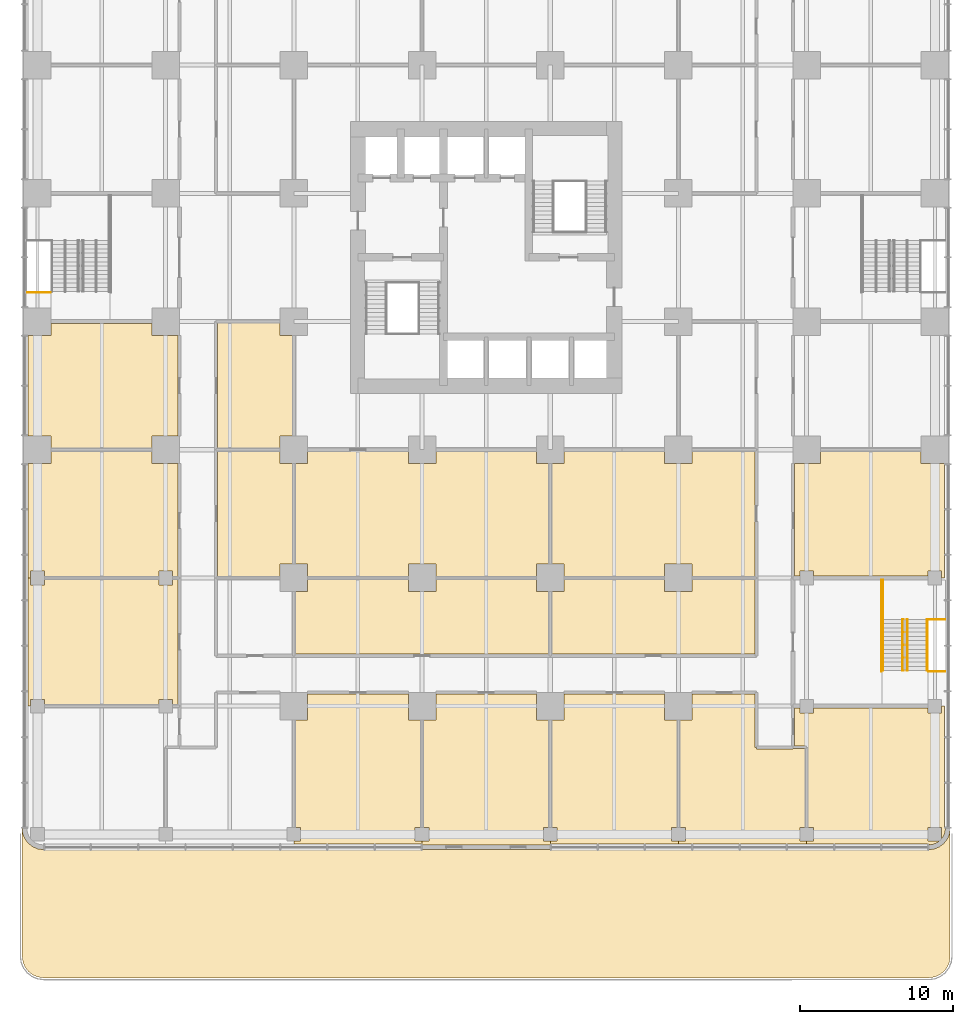
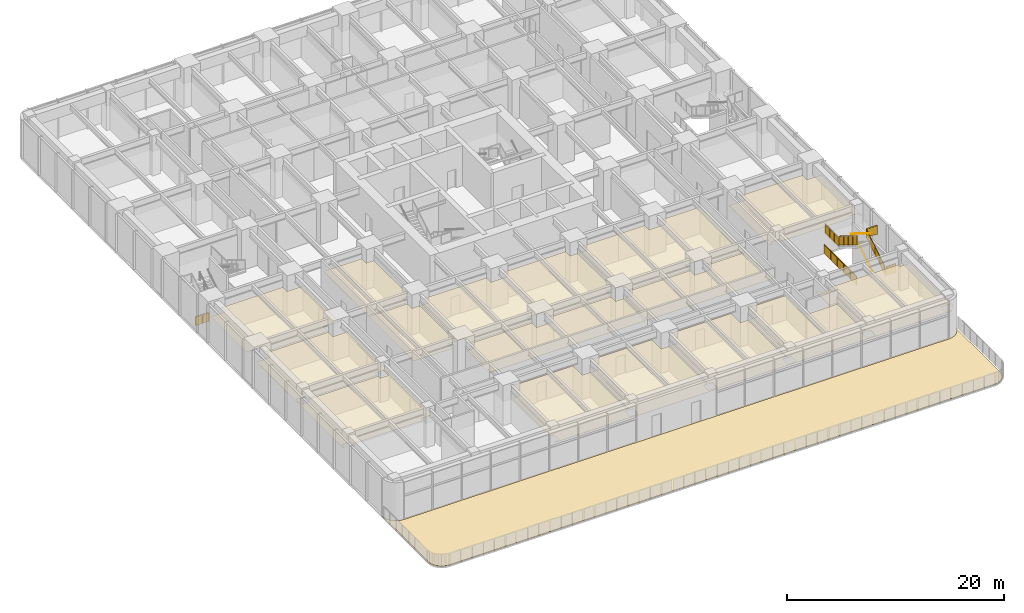
# One storey, part 17 of 20: 16 coverings, 9 railings.
"""IFC4 building model written with IfcOpenShell, lengths in metres."""

from ifc_helpers import new_model, si_unit, direction, frame, origin, origin_2d, place, context, subcontext, project, spatial, polyline, circle, outline, extrude, material, layer, layer_set, type_object, element, save


model = new_model("IFC4")

# Units and contexts
model_context = context("Model", 3, precision=1e-05, world=origin(), true_north=direction((0.0, 1.0)))
body_context = subcontext(model_context, "Body", "Model", "MODEL_VIEW")
ifc_project = project(units=[si_unit("LENGTHUNIT", "METRE"), si_unit("AREAUNIT", "SQUARE_METRE"), si_unit("VOLUMEUNIT", "CUBIC_METRE"), si_unit("PLANEANGLEUNIT", "RADIAN"), si_unit("MASSUNIT", "GRAM", prefix="KILO")], contexts=[model_context])

# Site, building, storey
site_placement = place(None, origin())
site = spatial("IfcSite", under=ifc_project, at=site_placement, CompositionType="ELEMENT")
building_placement = place(site_placement, origin())
building = spatial("IfcBuilding", under=site, at=building_placement, Name="Torre Alcanfor", CompositionType="ELEMENT")
storey_placement = place(building_placement, frame((0.0, 0.0, 10.5)))
storey = spatial("IfcBuildingStorey", under=building, at=storey_placement, Name="L02", CompositionType="ELEMENT", Elevation=10.5)

# Coverings
ifc_material_1 = material(Name="Mineral fibre acoustic tile 20 mm, NRC 0.70, on exposed suspension grid", Category="mineral fibre")
ifc_layer_1 = layer(ifc_material_1, 0.02001953125)
ifc_layer_set_1 = layer_set([ifc_layer_1], Name="Acoustic suspended ceiling 600x600 mineral fibre tile")
covering_type_1 = type_object("IfcCoveringType", Name="Acoustic suspended ceiling 600x600 mineral fibre tile", PredefinedType="CEILING", material=ifc_layer_set_1)
covering_1_placement = place(storey_placement, frame((0.0, 0.0, 2.75)))
element("IfcCovering", 1, at=covering_1_placement, inside=storey, type_object=covering_type_1, Name="Ceiling L02-02", PredefinedType="CEILING", context=body_context, shape_type="SweptSolid", body=[
    extrude(outline(polyline([(49.949951171875, -8.85009765625), (49.949951171875, -7.949951171875), (50.324951171875, -7.949951171875), (50.324951171875, -2.77490234375), (49.5, -2.77490234375), (49.5, -2.800048828125), (47.10009765625, -2.800048828125), (47.10009765625, -2.699951171875), (47.0, -2.699951171875), (47.0, 0.800048828125), (42.89990234375, 0.800048828125), (42.89990234375, -0.89990234375), (42.074951171875, -0.89990234375), (42.074951171875, -7.949951171875), (42.449951171875, -7.949951171875), (42.449951171875, -8.85009765625), (42.0, -8.85009765625), (42.0, -9.02490234375), (50.39990234375, -9.02490234375), (50.39990234375, -8.85009765625), (49.949951171875, -8.85009765625)])), origin(), (0.0, 0.0, 1.0), 0.02001953125),
])
covering_2_placement = place(storey_placement, frame((0.0, 0.0, 2.75)))
element("IfcCovering", 2, at=covering_2_placement, inside=storey, type_object=covering_type_1, Name="Ceiling L02-04", PredefinedType="CEILING", context=body_context, shape_type="SweptSolid", body=[
    extrude(outline(polyline([(59.25, -7.949951171875), (59.25, -8.679443359375), (59.350341796875, -8.548583984375), (59.4599609375, -8.283935546875), (59.497314453125, -8.0), (59.425048828125, -8.0), (59.425048828125, 0.0), (59.25, 0.0), (59.25, -0.449951171875), (58.35009765625, -0.449951171875), (58.35009765625, -0.125), (50.85009765625, -0.125), (50.85009765625, -0.449951171875), (49.949951171875, -0.449951171875), (49.949951171875, -0.125), (49.60009765625, -0.125), (49.60009765625, -2.625), (50.39990234375, -2.625), (50.39990234375, -2.699951171875), (50.47509765625, -2.699951171875), (50.47509765625, -7.949951171875), (50.85009765625, -7.949951171875), (50.85009765625, -8.85009765625), (50.39990234375, -8.85009765625), (50.39990234375, -9.02490234375), (58.39990234375, -9.02490234375), (58.39990234375, -9.097412109375), (58.68408203125, -9.06005859375), (58.94873046875, -8.950439453125), (59.079345703125, -8.85009765625), (58.35009765625, -8.85009765625), (58.35009765625, -7.949951171875), (59.25, -7.949951171875)])), origin(), (0.0, 0.0, 1.0), 0.02001953125),
])
covering_3_placement = place(storey_placement, frame((0.0, 0.0, 2.75)))
element("IfcCovering", 3, at=covering_3_placement, inside=storey, type_object=covering_type_1, Name="Ceiling L02-05", PredefinedType="CEILING", context=body_context, shape_type="SweptSolid", body=[
    extrude(outline(polyline([(25.125, -0.89990234375), (24.300048828125, -0.89990234375), (24.300048828125, 0.800048828125), (17.699951171875, 0.800048828125), (17.699951171875, -0.89990234375), (16.875, -0.89990234375), (16.875, -7.949951171875), (17.25, -7.949951171875), (17.25, -8.85009765625), (16.800048828125, -8.85009765625), (16.800048828125, -9.02490234375), (25.199951171875, -9.02490234375), (25.199951171875, -8.85009765625), (24.75, -8.85009765625), (24.75, -7.949951171875), (25.125, -7.949951171875), (25.125, -0.89990234375)])), origin(), (0.0, 0.0, 1.0), 0.02001953125),
])
covering_4_placement = place(storey_placement, frame((0.0, 0.0, 2.75)))
element("IfcCovering", 4, at=covering_4_placement, inside=storey, type_object=covering_type_1, Name="Ceiling L02-06", PredefinedType="CEILING", context=body_context, shape_type="SweptSolid", body=[
    extrude(outline(polyline([(33.52490234375, -0.89990234375), (32.699951171875, -0.89990234375), (32.699951171875, 0.800048828125), (26.10009765625, 0.800048828125), (26.10009765625, -0.89990234375), (25.27490234375, -0.89990234375), (25.27490234375, -7.949951171875), (25.64990234375, -7.949951171875), (25.64990234375, -8.85009765625), (25.199951171875, -8.85009765625), (25.199951171875, -9.10009765625), (33.60009765625, -9.10009765625), (33.60009765625, -8.85009765625), (33.14990234375, -8.85009765625), (33.14990234375, -7.949951171875), (33.52490234375, -7.949951171875), (33.52490234375, -0.89990234375)])), origin(), (0.0, 0.0, 1.0), 0.02001953125),
])
covering_5_placement = place(storey_placement, frame((0.0, 0.0, 2.75)))
element("IfcCovering", 5, at=covering_5_placement, inside=storey, type_object=covering_type_1, Name="Ceiling L02-07", PredefinedType="CEILING", context=body_context, shape_type="SweptSolid", body=[
    extrude(outline(polyline([(41.925048828125, -0.89990234375), (41.10009765625, -0.89990234375), (41.10009765625, 0.800048828125), (34.5, 0.800048828125), (34.5, -0.89990234375), (33.675048828125, -0.89990234375), (33.675048828125, -7.949951171875), (34.050048828125, -7.949951171875), (34.050048828125, -8.85009765625), (33.60009765625, -8.85009765625), (33.60009765625, -9.02490234375), (42.0, -9.02490234375), (42.0, -8.85009765625), (41.550048828125, -8.85009765625), (41.550048828125, -7.949951171875), (41.925048828125, -7.949951171875), (41.925048828125, -0.89990234375)])), origin(), (0.0, 0.0, 1.0), 0.02001953125),
])
covering_6_placement = place(storey_placement, frame((0.0, 0.0, 2.75)))
element("IfcCovering", 6, at=covering_6_placement, inside=storey, type_object=covering_type_1, Name="Ceiling L02-08", PredefinedType="CEILING", context=body_context, shape_type="SweptSolid", body=[
    extrude(outline(polyline([(-0.449951171875, 7.949951171875), (-0.449951171875, 8.39990234375), (-0.625, 8.39990234375), (-0.625, 0.0), (-0.449951171875, 0.0), (-0.449951171875, 0.449951171875), (0.449951171875, 0.449951171875), (0.449951171875, 0.074951171875), (7.949951171875, 0.074951171875), (7.949951171875, 0.449951171875), (8.85009765625, 0.449951171875), (8.85009765625, 0.074951171875), (9.199951171875, 0.074951171875), (9.199951171875, 8.324951171875), (8.85009765625, 8.324951171875), (8.85009765625, 7.949951171875), (7.949951171875, 7.949951171875), (7.949951171875, 8.324951171875), (0.449951171875, 8.324951171875), (0.449951171875, 7.949951171875), (-0.449951171875, 7.949951171875)])), origin(), (0.0, 0.0, 1.0), 0.02001953125),
])
covering_7_placement = place(storey_placement, frame((0.0, 0.0, 2.75)))
element("IfcCovering", 7, at=covering_7_placement, inside=storey, type_object=covering_type_1, Name="Ceiling L02-10", PredefinedType="CEILING", context=body_context, shape_type="SweptSolid", body=[
    extrude(outline(polyline([(0.89990234375, 16.72509765625), (0.89990234375, 15.89990234375), (-0.625, 15.89990234375), (-0.625, 8.39990234375), (-0.449951171875, 8.39990234375), (-0.449951171875, 8.85009765625), (0.449951171875, 8.85009765625), (0.449951171875, 8.47509765625), (7.949951171875, 8.47509765625), (7.949951171875, 8.85009765625), (8.85009765625, 8.85009765625), (8.85009765625, 8.47509765625), (9.199951171875, 8.47509765625), (9.199951171875, 15.89990234375), (7.5, 15.89990234375), (7.5, 16.72509765625), (0.89990234375, 16.72509765625)])), origin(), (0.0, 0.0, 1.0), 0.02001953125),
])
covering_8_placement = place(storey_placement, frame((0.0, 0.0, 2.75)))
element("IfcCovering", 8, at=covering_8_placement, inside=storey, type_object=covering_type_1, Name="Ceiling L02-11", PredefinedType="CEILING", context=body_context, shape_type="SweptSolid", body=[
    extrude(outline(polyline([(59.25, 8.85009765625), (59.25, 8.39990234375), (59.425048828125, 8.39990234375), (59.425048828125, 15.89990234375), (57.89990234375, 15.89990234375), (57.89990234375, 16.72509765625), (51.300048828125, 16.72509765625), (51.300048828125, 15.89990234375), (49.60009765625, 15.89990234375), (49.60009765625, 8.52490234375), (49.949951171875, 8.52490234375), (49.949951171875, 8.85009765625), (50.85009765625, 8.85009765625), (50.85009765625, 8.52490234375), (58.35009765625, 8.52490234375), (58.35009765625, 8.85009765625), (59.25, 8.85009765625)])), origin(), (0.0, 0.0, 1.0), 0.02001953125),
])
covering_9_placement = place(storey_placement, frame((0.0, 0.0, 2.75)))
element("IfcCovering", 9, at=covering_9_placement, inside=storey, type_object=covering_type_1, Name="Ceiling L02-12", PredefinedType="CEILING", context=body_context, shape_type="SweptSolid", body=[
    extrude(outline(polyline([(0.89990234375, 25.074951171875), (0.89990234375, 24.300048828125), (-0.625, 24.300048828125), (-0.625, 17.699951171875), (0.89990234375, 17.699951171875), (0.89990234375, 16.875), (7.5, 16.875), (7.5, 17.699951171875), (9.199951171875, 17.699951171875), (9.199951171875, 24.300048828125), (7.5, 24.300048828125), (7.5, 25.074951171875), (0.89990234375, 25.074951171875)])), origin(), (0.0, 0.0, 1.0), 0.02001953125),
])
covering_10_placement = place(storey_placement, frame((0.0, 0.0, 3.0)))
element("IfcCovering", 10, at=covering_10_placement, inside=storey, type_object=covering_type_1, Name="Ceiling L02-I02", PredefinedType="CEILING", context=body_context, shape_type="SweptSolid", body=[
    extrude(outline(polyline([(17.699951171875, 8.324951171875), (17.699951171875, 7.5), (16.875, 7.5), (16.875, 3.39990234375), (33.52490234375, 3.39990234375), (33.52490234375, 7.5), (32.699951171875, 7.5), (32.699951171875, 8.324951171875), (26.10009765625, 8.324951171875), (26.10009765625, 7.5), (24.300048828125, 7.5), (24.300048828125, 8.324951171875), (17.699951171875, 8.324951171875)])), origin(), (0.0, 0.0, 1.0), 0.02001953125),
])
covering_11_placement = place(storey_placement, frame((0.0, 0.0, 3.0)))
element("IfcCovering", 11, at=covering_11_placement, inside=storey, type_object=covering_type_1, Name="Ceiling L02-I03", PredefinedType="CEILING", context=body_context, shape_type="SweptSolid", body=[
    extrude(outline(polyline([(34.5, 8.324951171875), (34.5, 7.5), (33.675048828125, 7.5), (33.675048828125, 3.39990234375), (47.0, 3.39990234375), (47.0, 8.324951171875), (42.89990234375, 8.324951171875), (42.89990234375, 7.5), (41.10009765625, 7.5), (41.10009765625, 8.324951171875), (34.5, 8.324951171875)])), origin(), (0.0, 0.0, 1.0), 0.02001953125),
])
covering_12_placement = place(storey_placement, frame((0.0, 0.0, 3.0)))
element("IfcCovering", 12, at=covering_12_placement, inside=storey, type_object=covering_type_1, Name="Ceiling L02-I04", PredefinedType="CEILING", context=body_context, shape_type="SweptSolid", body=[
    extrude(outline(polyline([(16.72509765625, 15.89990234375), (15.89990234375, 15.89990234375), (15.89990234375, 16.72509765625), (11.800048828125, 16.72509765625), (11.800048828125, 8.47509765625), (15.89990234375, 8.47509765625), (15.89990234375, 9.300048828125), (16.72509765625, 9.300048828125), (16.72509765625, 15.89990234375)])), origin(), (0.0, 0.0, 1.0), 0.02001953125),
])
covering_13_placement = place(storey_placement, frame((0.0, 0.0, 3.0)))
element("IfcCovering", 13, at=covering_13_placement, inside=storey, type_object=covering_type_1, Name="Ceiling L02-I05", PredefinedType="CEILING", context=body_context, shape_type="SweptSolid", body=[
    extrude(outline(polyline([(26.10009765625, 15.89990234375), (24.300048828125, 15.89990234375), (24.300048828125, 16.699951171875), (17.699951171875, 16.699951171875), (17.699951171875, 15.89990234375), (16.875, 15.89990234375), (16.875, 9.300048828125), (17.699951171875, 9.300048828125), (17.699951171875, 8.47509765625), (24.300048828125, 8.47509765625), (24.300048828125, 9.300048828125), (26.10009765625, 9.300048828125), (26.10009765625, 8.47509765625), (32.699951171875, 8.47509765625), (32.699951171875, 9.300048828125), (33.52490234375, 9.300048828125), (33.52490234375, 15.89990234375), (32.699951171875, 15.89990234375), (32.699951171875, 16.699951171875), (26.10009765625, 16.699951171875), (26.10009765625, 15.89990234375)])), origin(), (0.0, 0.0, 1.0), 0.02001953125),
])
covering_14_placement = place(storey_placement, frame((0.0, 0.0, 3.0)))
element("IfcCovering", 14, at=covering_14_placement, inside=storey, type_object=covering_type_1, Name="Ceiling L02-I06", PredefinedType="CEILING", context=body_context, shape_type="SweptSolid", body=[
    extrude(outline(polyline([(42.89990234375, 15.89990234375), (41.10009765625, 15.89990234375), (41.10009765625, 16.699951171875), (34.5, 16.699951171875), (34.5, 15.89990234375), (33.675048828125, 15.89990234375), (33.675048828125, 9.300048828125), (34.5, 9.300048828125), (34.5, 8.47509765625), (41.10009765625, 8.47509765625), (41.10009765625, 9.300048828125), (42.89990234375, 9.300048828125), (42.89990234375, 8.47509765625), (47.0, 8.47509765625), (47.0, 16.72509765625), (42.89990234375, 16.72509765625), (42.89990234375, 15.89990234375)])), origin(), (0.0, 0.0, 1.0), 0.02001953125),
])
covering_15_placement = place(storey_placement, frame((0.0, 0.0, 3.0)))
element("IfcCovering", 15, at=covering_15_placement, inside=storey, type_object=covering_type_1, Name="Ceiling L02-I07", PredefinedType="CEILING", context=body_context, shape_type="SweptSolid", body=[
    extrude(outline(polyline([(16.699951171875, 24.300048828125), (15.89990234375, 24.300048828125), (15.89990234375, 25.10009765625), (11.800048828125, 25.10009765625), (11.800048828125, 16.875), (15.89990234375, 16.875), (15.89990234375, 17.699951171875), (16.699951171875, 17.699951171875), (16.699951171875, 24.300048828125)])), origin(), (0.0, 0.0, 1.0), 0.02001953125),
])
ifc_material_2 = material(Name="Rubber safety surfacing on screed", Category="masonry")
ifc_layer_2 = layer(ifc_material_2, 0.050048828125)
ifc_layer_set_2 = layer_set([ifc_layer_2], Name="Play deck rubber surface 50")
covering_type_2 = type_object("IfcCoveringType", Name="Play deck rubber surface 50", PredefinedType="FLOORING", material=ifc_layer_set_2)
covering_16_placement = place(storey_placement, origin())
element("IfcCovering", 16, at=covering_16_placement, inside=storey, type_object=covering_type_2, Name="Play deck surface L02 1", PredefinedType="FLOORING", context=body_context, shape_type="SweptSolid", body=[
    extrude(outline(polyline([(59.800048828125, -8.0), (59.752197265625, -8.3623046875), (59.6123046875, -8.699951171875), (59.389892578125, -8.989990234375), (59.10009765625, -9.21240234375), (58.76220703125, -9.352294921875), (58.39990234375, -9.39990234375), (0.39990234375, -9.39990234375), (0.03759765625, -9.352294921875), (-0.300048828125, -9.21240234375), (-0.58984375, -8.989990234375), (-0.8125, -8.699951171875), (-0.952392578125, -8.3623046875), (-1.0, -8.0), (-1.0, -16.39990234375), (-0.952392578125, -16.76220703125), (-0.8125, -17.10009765625), (-0.58984375, -17.389892578125), (-0.300048828125, -17.6123046875), (0.03759765625, -17.752197265625), (0.39990234375, -17.800048828125), (58.39990234375, -17.800048828125), (58.76220703125, -17.752197265625), (59.10009765625, -17.6123046875), (59.389892578125, -17.389892578125), (59.6123046875, -17.10009765625), (59.752197265625, -16.76220703125), (59.800048828125, -16.39990234375), (59.800048828125, -8.0)])), origin(), (0.0, 0.0, 1.0), 0.050048828125),
])

# Railings
ifc_material_3 = material(Name="Steel ASTM A500 Grade C hollow sections", Category="steel")
railing_type_1 = type_object("IfcRailingType", Name="Stair guard and handrail 1100", PredefinedType="GUARDRAIL", material=ifc_material_3)
railing_1_placement = place(storey_placement, frame((-0.64990234375, 27.10498046875, 0.0)))
element("IfcRailing", 17, at=railing_1_placement, inside=storey, type_object=railing_type_1, Name="Stair well guard SS1 L02 facade strip", PredefinedType="GUARDRAIL", context=body_context, shape_type="SweptSolid", body=[
    extrude(circle(Radius=0.02392578125, at=origin_2d()), frame((0.0, 0.0, 1.076171875), z_axis=(1.0, 0.0, 0.0), x_axis=(0.0, 1.0, 0.0)), (0.0, 0.0, 1.0), 1.5),
    extrude(circle(Radius=0.02099609375, at=origin_2d()), origin(), (0.0, 0.0, 1.0), 1.052001953125),
    extrude(circle(Radius=0.02099609375, at=origin_2d()), frame((0.75, 0.0, 0.0)), (0.0, 0.0, 1.0), 1.052001953125),
    extrude(circle(Radius=0.02099609375, at=origin_2d()), frame((1.5, 0.0, 0.0)), (0.0, 0.0, 1.0), 1.052001953125),
    extrude(outline(polyline([(0.041015625, 0.050048828125), (0.708984375, 0.050048828125), (0.708984375, 1.001953125), (0.041015625, 1.001953125), (0.041015625, 0.050048828125)])), frame((0.0, 0.005859375, 0.0), z_axis=(0.0, -1.0, 0.0), x_axis=(1.0, 0.0, 0.0)), (0.0, 0.0, 1.0), 0.011962890625),
    extrude(outline(polyline([(0.791015625, 0.050048828125), (1.458984375, 0.050048828125), (1.458984375, 1.001953125), (0.791015625, 1.001953125), (0.791015625, 0.050048828125)])), frame((0.0, 0.005859375, 0.0), z_axis=(0.0, -1.0, 0.0), x_axis=(1.0, 0.0, 0.0)), (0.0, 0.0, 1.0), 0.011962890625),
])
railing_2_placement = place(storey_placement, frame((55.300048828125, 2.27490234375, 0.0)))
element("IfcRailing", 18, at=railing_2_placement, inside=storey, type_object=railing_type_1, Name="Stair well guard SS3 L02 door side", PredefinedType="GUARDRAIL", context=body_context, shape_type="SweptSolid", body=[
    extrude(circle(Radius=0.02392578125, at=origin_2d()), frame((0.0, 0.0, 1.076171875), z_axis=(0.0, 1.0, 0.0), x_axis=(-1.0, 0.0, 0.0)), (0.0, 0.0, 1.0), 5.989990234375),
    extrude(circle(Radius=0.02099609375, at=origin_2d()), origin(), (0.0, 0.0, 1.0), 1.052001953125),
    extrude(circle(Radius=0.02099609375, at=origin_2d()), frame((0.0, 1.197998046875, 0.0)), (0.0, 0.0, 1.0), 1.052001953125),
    extrude(circle(Radius=0.02099609375, at=origin_2d()), frame((0.0, 2.39599609375, 0.0)), (0.0, 0.0, 1.0), 1.052001953125),
    extrude(circle(Radius=0.02099609375, at=origin_2d()), frame((0.0, 3.593994140625, 0.0)), (0.0, 0.0, 1.0), 1.052001953125),
    extrude(circle(Radius=0.02099609375, at=origin_2d()), frame((0.0, 4.7919921875, 0.0)), (0.0, 0.0, 1.0), 1.052001953125),
    extrude(circle(Radius=0.02099609375, at=origin_2d()), frame((0.0, 5.989990234375, 0.0)), (0.0, 0.0, 1.0), 1.052001953125),
    extrude(outline(polyline([(0.041015625, 0.050048828125), (1.156982421875, 0.050048828125), (1.156982421875, 1.001953125), (0.041015625, 1.001953125), (0.041015625, 0.050048828125)])), frame((-0.005859375, 0.0, 0.0), z_axis=(1.0, 0.0, 0.0), x_axis=(0.0, 1.0, 0.0)), (0.0, 0.0, 1.0), 0.011962890625),
    extrude(outline(polyline([(1.239013671875, 0.050048828125), (2.35498046875, 0.050048828125), (2.35498046875, 1.001953125), (1.239013671875, 1.001953125), (1.239013671875, 0.050048828125)])), frame((-0.005859375, 0.0, 0.0), z_axis=(1.0, 0.0, 0.0), x_axis=(0.0, 1.0, 0.0)), (0.0, 0.0, 1.0), 0.011962890625),
    extrude(outline(polyline([(2.43701171875, 0.050048828125), (3.552978515625, 0.050048828125), (3.552978515625, 1.001953125), (2.43701171875, 1.001953125), (2.43701171875, 0.050048828125)])), frame((-0.005859375, 0.0, 0.0), z_axis=(1.0, 0.0, 0.0), x_axis=(0.0, 1.0, 0.0)), (0.0, 0.0, 1.0), 0.011962890625),
    extrude(outline(polyline([(3.635009765625, 0.050048828125), (4.7509765625, 0.050048828125), (4.7509765625, 1.001953125), (3.635009765625, 1.001953125), (3.635009765625, 0.050048828125)])), frame((-0.005859375, 0.0, 0.0), z_axis=(1.0, 0.0, 0.0), x_axis=(0.0, 1.0, 0.0)), (0.0, 0.0, 1.0), 0.011962890625),
    extrude(outline(polyline([(4.8330078125, 0.050048828125), (5.948974609375, 0.050048828125), (5.948974609375, 1.001953125), (4.8330078125, 1.001953125), (4.8330078125, 0.050048828125)])), frame((-0.005859375, 0.0, 0.0), z_axis=(1.0, 0.0, 0.0), x_axis=(0.0, 1.0, 0.0)), (0.0, 0.0, 1.0), 0.011962890625),
])
railing_3_placement = place(storey_placement, frame((59.449951171875, 2.27490234375, 0.0)))
element("IfcRailing", 19, at=railing_3_placement, inside=storey, type_object=railing_type_1, Name="Stair well guard SS3 L02 facade strip", PredefinedType="GUARDRAIL", context=body_context, shape_type="SweptSolid", body=[
    extrude(circle(Radius=0.02392578125, at=origin_2d()), frame((0.0, 0.0, 1.076171875), z_axis=(-1.0, 0.0, 0.0), x_axis=(0.0, -1.0, 0.0)), (0.0, 0.0, 1.0), 1.050048828125),
    extrude(circle(Radius=0.02099609375, at=origin_2d()), origin(), (0.0, 0.0, 1.0), 1.052001953125),
    extrude(circle(Radius=0.02099609375, at=origin_2d()), frame((-1.050048828125, 0.0, 0.0)), (0.0, 0.0, 1.0), 1.052001953125),
    extrude(outline(polyline([(0.041015625, 0.050048828125), (1.009033203125, 0.050048828125), (1.009033203125, 1.001953125), (0.041015625, 1.001953125), (0.041015625, 0.050048828125)])), frame((0.0, -0.005859375, 0.0), z_axis=(0.0, 1.0, 0.0), x_axis=(-1.0, 0.0, 0.0)), (0.0, 0.0, 1.0), 0.011962890625),
])
railing_4_placement = place(storey_placement, frame((58.300048828125, 2.324951171875, 0.173095703125)))
element("IfcRailing", 20, at=railing_4_placement, inside=storey, type_object=railing_type_1, Name="Stair guard SS3 L02 flight 1", PredefinedType="GUARDRAIL", context=body_context, shape_type="SweptSolid", body=[
    extrude(circle(Radius=0.02392578125, at=origin_2d()), frame((0.0, 0.0, 1.076171875), z_axis=(0.0, 0.850623216509, 0.525775754039), x_axis=(-1.0, 0.0, 0.0)), (0.0, 0.0, 1.0), 3.9501953125),
    extrude(circle(Radius=0.02099609375, at=origin_2d()), origin(), (0.0, 0.0, 1.0), 1.052001953125),
    extrude(circle(Radius=0.02099609375, at=origin_2d()), frame((0.0, 0.840087890625, 0.519287109375)), (0.0, 0.0, 1.0), 1.052001953125),
    extrude(circle(Radius=0.02099609375, at=origin_2d()), frame((0.0, 1.68017578125, 1.03857421875)), (0.0, 0.0, 1.0), 1.052001953125),
    extrude(circle(Radius=0.02099609375, at=origin_2d()), frame((0.0, 2.52001953125, 1.5576171875)), (0.0, 0.0, 1.0), 1.052001953125),
    extrude(circle(Radius=0.02099609375, at=origin_2d()), frame((0.0, 3.360107421875, 2.076904296875)), (0.0, 0.0, 1.0), 1.052001953125),
    extrude(outline(polyline([(0.041015625, 0.075439453125), (0.799072265625, 0.5439453125), (0.799072265625, 1.495849609375), (0.041015625, 1.02734375), (0.041015625, 0.075439453125)])), frame((-0.005859375, 0.0, 0.0), z_axis=(1.0, 0.0, 0.0), x_axis=(0.0, 1.0, 0.0)), (0.0, 0.0, 1.0), 0.011962890625),
    extrude(outline(polyline([(0.881103515625, 0.594482421875), (1.63916015625, 1.06298828125), (1.63916015625, 2.01513671875), (0.881103515625, 1.546630859375), (0.881103515625, 0.594482421875)])), frame((-0.005859375, 0.0, 0.0), z_axis=(1.0, 0.0, 0.0), x_axis=(0.0, 1.0, 0.0)), (0.0, 0.0, 1.0), 0.011962890625),
    extrude(outline(polyline([(1.720947265625, 1.11376953125), (2.47900390625, 1.582275390625), (2.47900390625, 2.534423828125), (1.720947265625, 2.065673828125), (1.720947265625, 1.11376953125)])), frame((-0.005859375, 0.0, 0.0), z_axis=(1.0, 0.0, 0.0), x_axis=(0.0, 1.0, 0.0)), (0.0, 0.0, 1.0), 0.011962890625),
    extrude(outline(polyline([(2.56103515625, 1.633056640625), (3.319091796875, 2.1015625), (3.319091796875, 3.053466796875), (2.56103515625, 2.5849609375), (2.56103515625, 1.633056640625)])), frame((-0.005859375, 0.0, 0.0), z_axis=(1.0, 0.0, 0.0), x_axis=(0.0, 1.0, 0.0)), (0.0, 0.0, 1.0), 0.011962890625),
])
railing_5_placement = place(storey_placement, frame((55.39990234375, 5.68505859375, 2.423095703125)))
element("IfcRailing", 21, at=railing_5_placement, inside=storey, type_object=railing_type_1, Name="Stair guard SS3 L02 flight 2", PredefinedType="GUARDRAIL", context=body_context, shape_type="SweptSolid", body=[
    extrude(circle(Radius=0.02392578125, at=origin_2d()), frame((0.0, 0.0, 1.076171875), z_axis=(0.0, -0.850623216509, 0.525775754039), x_axis=(1.0, 0.0, 0.0)), (0.0, 0.0, 1.0), 3.9501953125),
    extrude(circle(Radius=0.02099609375, at=origin_2d()), origin(), (0.0, 0.0, 1.0), 1.052001953125),
    extrude(circle(Radius=0.02099609375, at=origin_2d()), frame((0.0, -0.840087890625, 0.519287109375)), (0.0, 0.0, 1.0), 1.052001953125),
    extrude(circle(Radius=0.02099609375, at=origin_2d()), frame((0.0, -1.68017578125, 1.03857421875)), (0.0, 0.0, 1.0), 1.052001953125),
    extrude(circle(Radius=0.02099609375, at=origin_2d()), frame((0.0, -2.52001953125, 1.5576171875)), (0.0, 0.0, 1.0), 1.052001953125),
    extrude(circle(Radius=0.02099609375, at=origin_2d()), frame((0.0, -3.360107421875, 2.076904296875)), (0.0, 0.0, 1.0), 1.052001953125),
    extrude(outline(polyline([(0.041015625, 0.075439453125), (0.799072265625, 0.5439453125), (0.799072265625, 1.495849609375), (0.041015625, 1.02734375), (0.041015625, 0.075439453125)])), frame((0.005859375, 0.0, 0.0), z_axis=(-1.0, 0.0, 0.0), x_axis=(0.0, -1.0, 0.0)), (0.0, 0.0, 1.0), 0.011962890625),
    extrude(outline(polyline([(0.881103515625, 0.594482421875), (1.63916015625, 1.06298828125), (1.63916015625, 2.01513671875), (0.881103515625, 1.546630859375), (0.881103515625, 0.594482421875)])), frame((0.005859375, 0.0, 0.0), z_axis=(-1.0, 0.0, 0.0), x_axis=(0.0, -1.0, 0.0)), (0.0, 0.0, 1.0), 0.011962890625),
    extrude(outline(polyline([(1.720947265625, 1.11376953125), (2.47900390625, 1.582275390625), (2.47900390625, 2.534423828125), (1.720947265625, 2.065673828125), (1.720947265625, 1.11376953125)])), frame((0.005859375, 0.0, 0.0), z_axis=(-1.0, 0.0, 0.0), x_axis=(0.0, -1.0, 0.0)), (0.0, 0.0, 1.0), 0.011962890625),
    extrude(outline(polyline([(2.56103515625, 1.633056640625), (3.319091796875, 2.1015625), (3.319091796875, 3.053466796875), (2.56103515625, 2.5849609375), (2.56103515625, 1.633056640625)])), frame((0.005859375, 0.0, 0.0), z_axis=(-1.0, 0.0, 0.0), x_axis=(0.0, -1.0, 0.0)), (0.0, 0.0, 1.0), 0.011962890625),
])
railing_6_placement = place(storey_placement, frame((59.449951171875, 5.68505859375, 2.25)))
element("IfcRailing", 22, at=railing_6_placement, inside=storey, type_object=railing_type_1, Name="Stair guard SS3 L02 half landing facade strip", PredefinedType="GUARDRAIL", context=body_context, shape_type="SweptSolid", body=[
    extrude(circle(Radius=0.02392578125, at=origin_2d()), frame((0.0, 0.0, 1.076171875), z_axis=(-1.0, 0.0, 0.0), x_axis=(0.0, -1.0, 0.0)), (0.0, 0.0, 1.0), 1.099853515625),
    extrude(circle(Radius=0.02099609375, at=origin_2d()), origin(), (0.0, 0.0, 1.0), 1.052001953125),
    extrude(circle(Radius=0.02099609375, at=origin_2d()), frame((-1.099853515625, 0.0, 0.0)), (0.0, 0.0, 1.0), 1.052001953125),
    extrude(outline(polyline([(0.041015625, 0.050048828125), (1.058837890625, 0.050048828125), (1.058837890625, 1.001953125), (0.041015625, 1.001953125), (0.041015625, 0.050048828125)])), frame((0.0, -0.005859375, 0.0), z_axis=(0.0, 1.0, 0.0), x_axis=(-1.0, 0.0, 0.0)), (0.0, 0.0, 1.0), 0.011962890625),
])
railing_7_placement = place(storey_placement, frame((55.39990234375, 5.68505859375, 2.25)))
element("IfcRailing", 23, at=railing_7_placement, inside=storey, type_object=railing_type_1, Name="Stair guard SS3 L02 half landing", PredefinedType="GUARDRAIL", context=body_context, shape_type="SweptSolid", body=[
    extrude(circle(Radius=0.02392578125, at=origin_2d()), frame((0.0, 0.0, 1.076171875), z_axis=(0.0, 1.0, 0.0), x_axis=(-1.0, 0.0, 0.0)), (0.0, 0.0, 1.0), 2.579833984375),
    extrude(circle(Radius=0.02099609375, at=origin_2d()), origin(), (0.0, 0.0, 1.0), 1.052001953125),
    extrude(circle(Radius=0.02099609375, at=origin_2d()), frame((0.0, 0.85986328125, 0.0)), (0.0, 0.0, 1.0), 1.052001953125),
    extrude(circle(Radius=0.02099609375, at=origin_2d()), frame((0.0, 1.719970703125, 0.0)), (0.0, 0.0, 1.0), 1.052001953125),
    extrude(circle(Radius=0.02099609375, at=origin_2d()), frame((0.0, 2.579833984375, 0.0)), (0.0, 0.0, 1.0), 1.052001953125),
    extrude(outline(polyline([(0.041015625, 0.050048828125), (0.81884765625, 0.050048828125), (0.81884765625, 1.001953125), (0.041015625, 1.001953125), (0.041015625, 0.050048828125)])), frame((-0.005859375, 0.0, 0.0), z_axis=(1.0, 0.0, 0.0), x_axis=(0.0, 1.0, 0.0)), (0.0, 0.0, 1.0), 0.011962890625),
    extrude(outline(polyline([(0.90087890625, 0.050048828125), (1.678955078125, 0.050048828125), (1.678955078125, 1.001953125), (0.90087890625, 1.001953125), (0.90087890625, 0.050048828125)])), frame((-0.005859375, 0.0, 0.0), z_axis=(1.0, 0.0, 0.0), x_axis=(0.0, 1.0, 0.0)), (0.0, 0.0, 1.0), 0.011962890625),
    extrude(outline(polyline([(1.760986328125, 0.050048828125), (2.538818359375, 0.050048828125), (2.538818359375, 1.001953125), (1.760986328125, 1.001953125), (1.760986328125, 0.050048828125)])), frame((-0.005859375, 0.0, 0.0), z_axis=(1.0, 0.0, 0.0), x_axis=(0.0, 1.0, 0.0)), (0.0, 0.0, 1.0), 0.011962890625),
])
ifc_material_4 = material(Name="Steel ASTM A500 Grade C hollow sections", Category="steel")
railing_type_2 = type_object("IfcRailingType", Name="Stair wall handrail 900", PredefinedType="HANDRAIL", material=ifc_material_4)
railing_8_placement = place(storey_placement, frame((57.014892578125, 2.324951171875, 0.173095703125)))
element("IfcRailing", 24, at=railing_8_placement, inside=storey, type_object=railing_type_2, Name="Stair handrail SS3 L02 flight 1", PredefinedType="HANDRAIL", context=body_context, shape_type="SweptSolid", body=[
    extrude(circle(Radius=0.02392578125, at=origin_2d()), frame((0.0, 0.0, 0.8759765625), z_axis=(0.0, 0.850623216509, 0.525775754039), x_axis=(-1.0, 0.0, 0.0)), (0.0, 0.0, 1.0), 3.9501953125),
    extrude(circle(Radius=0.008056640625, at=origin_2d()), frame((0.0, 0.0, 0.8759765625), z_axis=(-1.0, 0.0, 0.0), x_axis=(0.0, 0.0, 1.0)), (0.0, 0.0, 1.0), 0.06494140625),
    extrude(circle(Radius=0.008056640625, at=origin_2d()), frame((0.0, 0.840087890625, 1.39501953125), z_axis=(-1.0, 0.0, 0.0), x_axis=(0.0, 0.0, 1.0)), (0.0, 0.0, 1.0), 0.06494140625),
    extrude(circle(Radius=0.008056640625, at=origin_2d()), frame((0.0, 1.68017578125, 1.914306640625), z_axis=(-1.0, 0.0, 0.0), x_axis=(0.0, 0.0, 1.0)), (0.0, 0.0, 1.0), 0.06494140625),
    extrude(circle(Radius=0.008056640625, at=origin_2d()), frame((0.0, 2.52001953125, 2.43359375), z_axis=(-1.0, 0.0, 0.0), x_axis=(0.0, 0.0, 1.0)), (0.0, 0.0, 1.0), 0.06494140625),
    extrude(circle(Radius=0.008056640625, at=origin_2d()), frame((0.0, 3.360107421875, 2.95263671875), z_axis=(-1.0, 0.0, 0.0), x_axis=(0.0, 0.0, 1.0)), (0.0, 0.0, 1.0), 0.06494140625),
])
railing_9_placement = place(storey_placement, frame((56.68505859375, 5.68505859375, 2.423095703125)))
element("IfcRailing", 25, at=railing_9_placement, inside=storey, type_object=railing_type_2, Name="Stair handrail SS3 L02 flight 2", PredefinedType="HANDRAIL", context=body_context, shape_type="SweptSolid", body=[
    extrude(circle(Radius=0.02392578125, at=origin_2d()), frame((0.0, 0.0, 0.8759765625), z_axis=(0.0, -0.850623216509, 0.525775754039), x_axis=(1.0, 0.0, 0.0)), (0.0, 0.0, 1.0), 3.9501953125),
    extrude(circle(Radius=0.008056640625, at=origin_2d()), frame((0.0, 0.0, 0.8759765625), z_axis=(1.0, 0.0, 0.0), x_axis=(0.0, 0.0, 1.0)), (0.0, 0.0, 1.0), 0.06494140625),
    extrude(circle(Radius=0.008056640625, at=origin_2d()), frame((0.0, -0.840087890625, 1.39501953125), z_axis=(1.0, 0.0, 0.0), x_axis=(0.0, 0.0, 1.0)), (0.0, 0.0, 1.0), 0.06494140625),
    extrude(circle(Radius=0.008056640625, at=origin_2d()), frame((0.0, -1.68017578125, 1.914306640625), z_axis=(1.0, 0.0, 0.0), x_axis=(0.0, 0.0, 1.0)), (0.0, 0.0, 1.0), 0.06494140625),
    extrude(circle(Radius=0.008056640625, at=origin_2d()), frame((0.0, -2.52001953125, 2.43359375), z_axis=(1.0, 0.0, 0.0), x_axis=(0.0, 0.0, 1.0)), (0.0, 0.0, 1.0), 0.06494140625),
    extrude(circle(Radius=0.008056640625, at=origin_2d()), frame((0.0, -3.360107421875, 2.95263671875), z_axis=(1.0, 0.0, 0.0), x_axis=(0.0, 0.0, 1.0)), (0.0, 0.0, 1.0), 0.06494140625),
])

save(model, "model.ifc")
